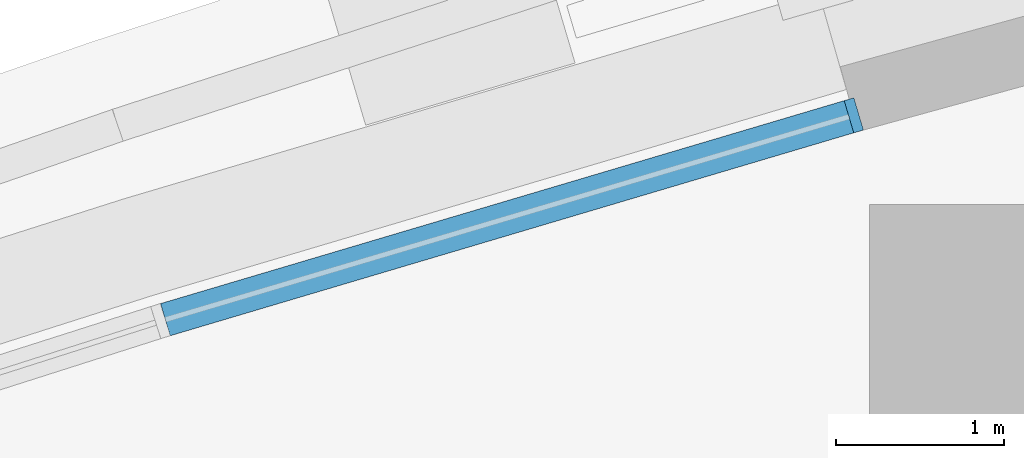
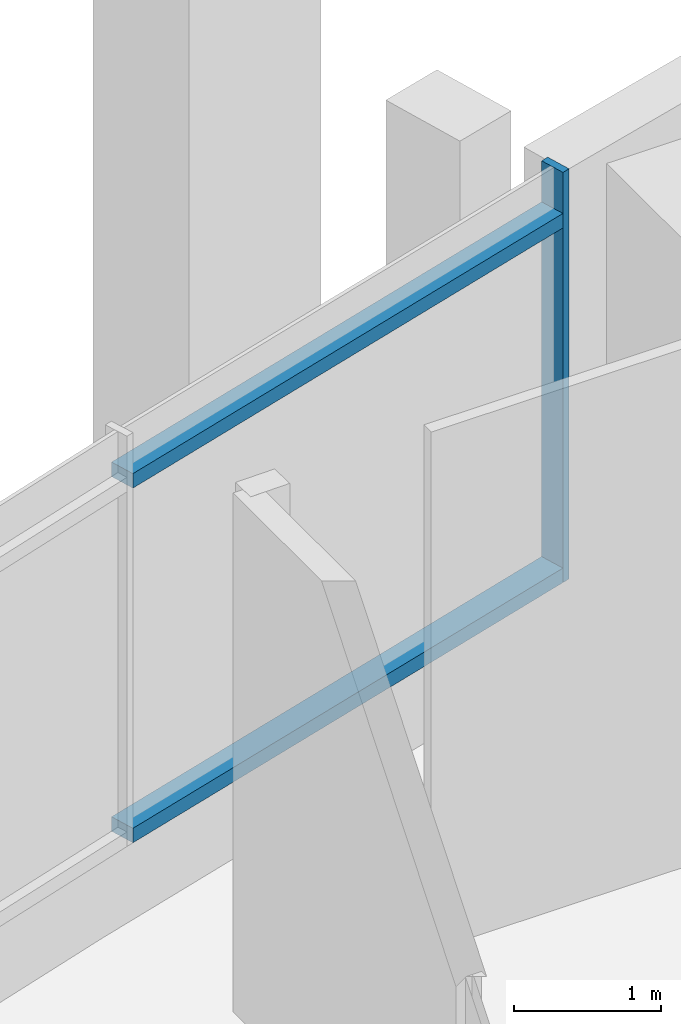
# One storey, part 5 of 19: 3 members, 1 element without a shape of its own.
"""IFC4 building model written with IfcOpenShell, lengths in metres."""

from ifc_helpers import new_model, si_unit, direction, frame, origin, origin_2d, place, context, subcontext, project, spatial, rectangle, extrude, material, layer, layer_set, material_profile, profile_set, type_object, element, aggregate, save


model = new_model("IFC4")

# Units and contexts
model_context = context("Model", 3, precision=1e-05, world=origin(), true_north=direction((0.0, 1.0)))
body_context = subcontext(model_context, "Body", "Model", "MODEL_VIEW")
ifc_project = project(units=[si_unit("LENGTHUNIT", "METRE"), si_unit("AREAUNIT", "SQUARE_METRE"), si_unit("VOLUMEUNIT", "CUBIC_METRE"), si_unit("PLANEANGLEUNIT", "RADIAN"), si_unit("MASSUNIT", "GRAM", prefix="KILO")], contexts=[model_context])

# Site, building, storey
site_placement = place(None, origin())
site = spatial("IfcSite", under=ifc_project, at=site_placement, CompositionType="ELEMENT")
building_placement = place(site_placement, origin())
building = spatial("IfcBuilding", under=site, at=building_placement, Name="Ostrand Prow Hotel Tower", CompositionType="ELEMENT")
storey_placement = place(building_placement, frame((0.0, 0.0, 170.89990234375)))
storey = spatial("IfcBuildingStorey", under=building, at=storey_placement, Name="L42", CompositionType="ELEMENT", Elevation=170.89990234375)

# Curtain wall, members
ifc_material_1 = material(Name="Insulated glass in bronze anodised frame", Category="glass")
ifc_layer = layer(ifc_material_1, 0.199951171875)
ifc_layer_set = layer_set([ifc_layer], Name="Insulated glass in bronze anodised frame")
curtain_wall_type = type_object("IfcCurtainWallType", Name="Sky lobby full-height curtain wall", PredefinedType="NOTDEFINED", material=ifc_layer_set)
curtain_wall_placement = place(storey_placement, origin())
curtain_wall = element("IfcCurtainWall", 1, at=curtain_wall_placement, inside=storey, type_object=curtain_wall_type, Name="CW3 run CWN1", PredefinedType="NOTDEFINED")
ifc_material_2 = material(Name="Bronze anodised aluminium", Category="aluminium")
ifc_material_profile_1 = material_profile(ifc_material_2, rectangle(XDim=0.199951171875, YDim=0.06005859375, at=origin_2d()), Name="Mullion 60x200 bronze anodised aluminium")
ifc_profile_set_1 = profile_set([ifc_material_profile_1], Name="Bronze anodised aluminium")
member_type_1 = type_object("IfcMemberType", Name="Mullion 60x200 bronze anodised aluminium", PredefinedType="MULLION", material=ifc_profile_set_1)
member_1_placement = place(storey_placement, frame((52.182373046875, 22.619384765625, 0.900146484375), z_axis=(0.0, 0.0, 1.0), x_axis=(0.284544113619, -0.958662947758, 0.0)))
member_1 = element("IfcMember", 2, at=member_1_placement, type_object=member_type_1, Name="CW3 mullion 1", PredefinedType="MULLION", context=body_context, shape_type="SweptSolid", body=[
    extrude(rectangle(XDim=0.199951171875, YDim=0.06005859375, at=origin_2d()), origin(), (0.0, 0.0, 1.0), 3.39990234375),
])
ifc_material_3 = material(Name="Bronze anodised aluminium", Category="aluminium")
ifc_material_profile_2 = material_profile(ifc_material_3, rectangle(XDim=0.199951171875, YDim=0.1201171875, at=origin_2d()), Name="Transom 120x200 bronze anodised aluminium")
ifc_profile_set_2 = profile_set([ifc_material_profile_2], Name="Bronze anodised aluminium")
member_type_2 = type_object("IfcMemberType", Name="Transom 120x200 bronze anodised aluminium", PredefinedType="USERDEFINED", material=ifc_profile_set_2)
member_2_placement = place(storey_placement, frame((52.15380859375, 22.611083984375, 0.960205078125), z_axis=(-0.958661084062, -0.284550392558, 0.0), x_axis=(0.284550392558, -0.958661084062, 0.0)))
member_2 = element("IfcMember", 3, at=member_2_placement, type_object=member_type_2, Name="CW3 transom 1.1", ObjectType="TRANSOM", PredefinedType="USERDEFINED", context=body_context, shape_type="SweptSolid", body=[
    extrude(rectangle(XDim=0.199951171875, YDim=0.1201171875, at=origin_2d()), origin(), (0.0, 0.0, 1.0), 4.245361328125),
])
member_3_placement = place(storey_placement, frame((52.15380859375, 22.611083984375, 3.900146484375), z_axis=(-0.958661084062, -0.284550392558, 0.0), x_axis=(0.284550392558, -0.958661084062, 0.0)))
member_3 = element("IfcMember", 4, at=member_3_placement, type_object=member_type_2, Name="CW3 transom 1.2", ObjectType="TRANSOM", PredefinedType="USERDEFINED", context=body_context, shape_type="SweptSolid", body=[
    extrude(rectangle(XDim=0.199951171875, YDim=0.1201171875, at=origin_2d()), origin(), (0.0, 0.0, 1.0), 4.245361328125),
])
aggregate(curtain_wall, [member_1, member_2, member_3])

save(model, "model.ifc")
